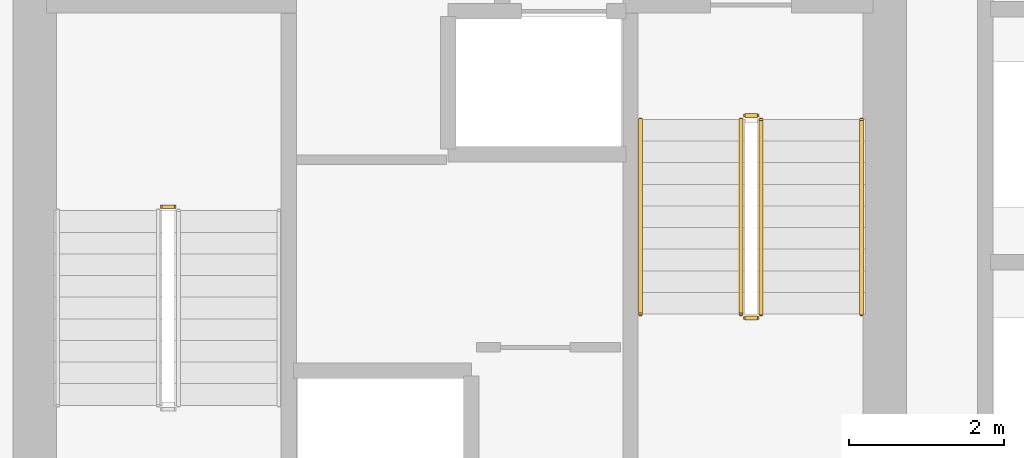
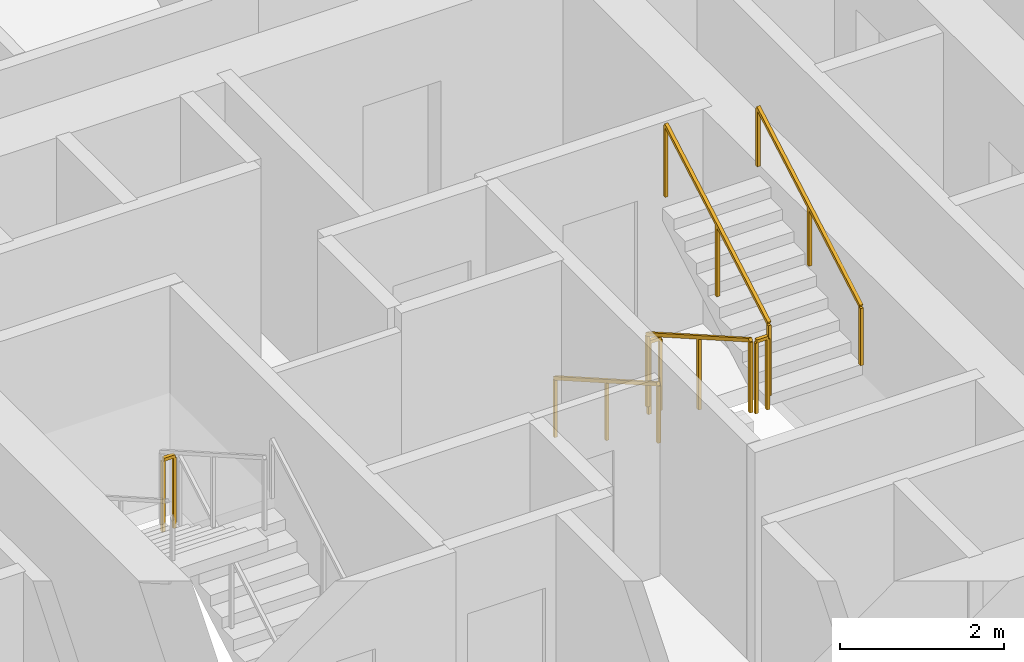
# One storey, part 13 of 14: 7 railings.
"""IFC4 building model written with IfcOpenShell, lengths in metres."""

import ifcopenshell
import ifcopenshell.guid

model = None  # the IFC model being written
_history = None  # IfcOwnerHistory: only IFC2X3 demands one
_inside = {}  # id of a spatial element -> (the spatial element, [elements in it])
_under = {}  # id of a project, library or spatial element -> (it, [spatial elements below it])
_declared = {}  # id of a project -> (the project, [libraries it declares])
_typed = {}  # id of a type object -> (the type object, [elements of that type])
_made_of = {}  # id of a material, layer set ... -> (it, [elements and type objects made of it])


def new_model(schema):
    """Start an empty IFC model of exactly this schema.

    Asked for "IFC4X3", IfcOpenShell would pick the latest addendum, in which some entities
    have other attributes; the version numbers below select the first issue.
    IFC2X3 requires an IfcOwnerHistory on every rooted entity: one is made here for all.
    """
    global model, _history
    if schema == "IFC4X3":
        model = ifcopenshell.file(schema_version=(4, 3, 0, 0))
    else:
        model = ifcopenshell.file(schema=schema)
    _inside.clear()
    _under.clear()
    _declared.clear()
    _typed.clear()
    _made_of.clear()
    _history = None
    if model.schema == "IFC2X3":
        org = make("IfcOrganization", Name="unknown")
        user = make(
            "IfcPersonAndOrganization",
            ThePerson=make("IfcPerson", FamilyName="unknown"),
            TheOrganization=org,
        )
        app = make(
            "IfcApplication",
            ApplicationDeveloper=org,
            Version="unknown",
            ApplicationFullName="unknown",
            ApplicationIdentifier="unknown",
        )
        _history = make(
            "IfcOwnerHistory",
            OwningUser=user,
            OwningApplication=app,
            ChangeAction="ADDED",
            CreationDate=0,
        )
    return model


def make(cls, **values):
    """One entity of the class cls with the attributes given. An attribute that is None is left unset."""
    return model.create_entity(
        cls, **{name: value for name, value in values.items() if value is not None}
    )


def rooted(cls, **values):
    """An entity with a GlobalId (a new one), such as an element, a storey or a relation."""
    return make(cls, GlobalId=ifcopenshell.guid.new(), OwnerHistory=_history, **values)


def si_unit(unit_type, name, prefix=None):
    """IfcSIUnit, for example si_unit("LENGTHUNIT", "METRE", prefix="MILLI")."""
    return make("IfcSIUnit", UnitType=unit_type, Prefix=prefix, Name=name)


def assignment(units):
    """IfcUnitAssignment: the units of a project."""
    return None if units is None else make("IfcUnitAssignment", Units=units)


def point(xyz):
    """IfcCartesianPoint."""
    return None if xyz is None else make("IfcCartesianPoint", Coordinates=xyz)


def direction(xyz):
    """IfcDirection."""
    return None if xyz is None else make("IfcDirection", DirectionRatios=xyz)


def frame(location, z_axis=None, x_axis=None):
    """IfcAxis2Placement3D, a coordinate frame: its origin and axes. An axis left out is left unset."""
    return make(
        "IfcAxis2Placement3D",
        Location=point(location),
        Axis=direction(z_axis),
        RefDirection=direction(x_axis),
    )


def frame_2d(location, x_axis=None):
    """IfcAxis2Placement2D, a coordinate frame in the plane: its origin and x axis."""
    return make(
        "IfcAxis2Placement2D", Location=point(location), RefDirection=direction(x_axis)
    )


def origin():
    """The frame at (0, 0, 0) with its axes left unset."""
    return frame((0.0, 0.0, 0.0))


def origin_2d():
    """The frame at (0, 0) in the plane with its x axis left unset."""
    return frame_2d((0.0, 0.0))


def place(relative_to, where):
    """IfcLocalPlacement: puts the frame where relative to a parent placement (None: the world)."""
    return make(
        "IfcLocalPlacement", PlacementRelTo=relative_to, RelativePlacement=where
    )


def context(
    kind, dimensions, precision=None, world=None, true_north=None, identifier=None
):
    """IfcGeometricRepresentationContext, for example the 3D "Model" context."""
    return make(
        "IfcGeometricRepresentationContext",
        ContextIdentifier=identifier,
        ContextType=kind,
        CoordinateSpaceDimension=dimensions,
        Precision=precision,
        WorldCoordinateSystem=world,
        TrueNorth=true_north,
    )


def subcontext(parent, identifier, kind, view, scale=None):
    """IfcGeometricRepresentationSubContext, for example "Body" below "Model"."""
    return make(
        "IfcGeometricRepresentationSubContext",
        ContextIdentifier=identifier,
        ContextType=kind,
        ParentContext=parent,
        TargetScale=scale,
        TargetView=view,
    )


def project(units=None, contexts=None):
    """IfcProject with its units and contexts."""
    return rooted(
        "IfcProject",
        Name="project",
        RepresentationContexts=contexts,
        UnitsInContext=assignment(units),
    )


def spatial(cls, under=None, at=None, **own):
    """A site, building, storey or space (cls), placed at a placement, below another one or the project."""
    s = rooted(cls, ObjectPlacement=at, **own)
    if under is not None:
        _under.setdefault(under.id(), (under, []))[1].append(s)
    return s


def profile(cls, at=None, kind="AREA", **sizes):
    """A parametric profile (cls). Its sizes go by their IFC names, for example OverallWidth=200.0."""
    return make(cls, ProfileType=kind, Position=at, **sizes)


def rectangle(**sizes):
    """IfcRectangleProfileDef."""
    return profile("IfcRectangleProfileDef", **sizes)


def extrude(swept, where, along, depth):
    """IfcExtrudedAreaSolid: the profile swept, set in the frame where, extruded along a direction by depth."""
    return make(
        "IfcExtrudedAreaSolid",
        SweptArea=swept,
        Position=where,
        ExtrudedDirection=direction(along),
        Depth=depth,
    )


def shape(context_of_items, identifier, shape_type, items):
    """IfcShapeRepresentation: the items that make up one representation, for example the "Body"."""
    return make(
        "IfcShapeRepresentation",
        ContextOfItems=context_of_items,
        RepresentationIdentifier=identifier,
        RepresentationType=shape_type,
        Items=items,
    )


def material(Name=None, Category=None):
    """IfcMaterial."""
    return make("IfcMaterial", Name=Name, Category=Category)


def made_of(thing, what):
    """Note that an element or type object is made of a material, layer set ...; save() writes the relation."""
    if what is not None:
        _made_of.setdefault(what.id(), (what, []))[1].append(thing)
    return thing


def type_object(cls, material=None, **own):
    """A type object (cls), such as IfcWallType, which elements share."""
    return made_of(rooted(cls, **own), material)


def element(
    cls,
    number,
    at=None,
    inside=None,
    cuts=None,
    type_object=None,
    material=None,
    context=None,
    identifier="Body",
    shape_type=None,
    held_by="IfcProductDefinitionShape",
    body=None,
    shapes=None,
    **own,
):
    """One element of the class cls, such as IfcWall. Its Tag is "e" and its number.

    at: its placement. inside: the storey or other place that contains it. cuts: it is an
    opening in that element (IfcRelVoidsElement). A single representation is given by context,
    identifier, shape_type and body (its items); several are given by shapes. held_by: the class
    of the entity that holds the representations. save() writes the other relations.
    """
    e = rooted(cls, Tag="e%d" % number, ObjectPlacement=at, **own)
    if body is not None:
        shapes = [shape(context, identifier, shape_type, body)]
    if shapes is not None:
        e.Representation = make(held_by, Representations=shapes)
    if inside is not None:
        _inside.setdefault(inside.id(), (inside, []))[1].append(e)
    if cuts is not None:
        rooted(
            "IfcRelVoidsElement", RelatingBuildingElement=cuts, RelatedOpeningElement=e
        )
    if type_object is not None:
        _typed.setdefault(type_object.id(), (type_object, []))[1].append(e)
    return made_of(e, material)


def aggregate(whole, parts):
    """IfcRelAggregates: a whole, such as a stair, and the parts it consists of."""
    return rooted("IfcRelAggregates", RelatingObject=whole, RelatedObjects=parts)


def save(model, path):
    """Write the relations noted so far, then the file.

    IfcRelAggregates (storeys below a building ...), IfcRelContainedInSpatialStructure (elements
    in a storey), IfcRelDefinesByType, IfcRelAssociatesMaterial and IfcRelDeclares: one each for
    every whole, place, type object, material and project.
    """
    for whole, parts in _under.values():
        aggregate(whole, parts)
    for where, things in _inside.values():
        rooted(
            "IfcRelContainedInSpatialStructure",
            RelatedElements=things,
            RelatingStructure=where,
        )
    for kind, things in _typed.values():
        rooted("IfcRelDefinesByType", RelatedObjects=things, RelatingType=kind)
    for what, things in _made_of.values():
        rooted("IfcRelAssociatesMaterial", RelatedObjects=things, RelatingMaterial=what)
    for by, libraries in _declared.values():
        rooted("IfcRelDeclares", RelatingContext=by, RelatedDefinitions=libraries)
    model.write(path)


model = new_model("IFC4")

# Units and contexts
model_context = context("Model", 3, precision=1e-05, world=origin(), true_north=direction((0.0, 1.0)))
body_context = subcontext(model_context, "Body", "Model", "MODEL_VIEW")
ifc_project = project(units=[si_unit("LENGTHUNIT", "METRE"), si_unit("AREAUNIT", "SQUARE_METRE"), si_unit("VOLUMEUNIT", "CUBIC_METRE"), si_unit("PLANEANGLEUNIT", "RADIAN"), si_unit("MASSUNIT", "GRAM", prefix="KILO")], contexts=[model_context])

# Site, building, storey
site_placement = place(None, origin())
site = spatial("IfcSite", under=ifc_project, at=site_placement, CompositionType="ELEMENT")
building_placement = place(site_placement, origin())
building = spatial("IfcBuilding", under=site, at=building_placement, Name="Veldorim Arch Residences", CompositionType="ELEMENT")
storey_placement = place(building_placement, frame((0.0, 0.0, 96.47998046875)))
storey = spatial("IfcBuildingStorey", under=building, at=storey_placement, Name="L28", CompositionType="ELEMENT", Elevation=96.47998046875)

# Railings
ifc_material_1 = material(Name="Steel S355", Category="steel")
railing_type_1 = type_object("IfcRailingType", Name="Galvanised Steel Stair Safety Guardrail 1100", PredefinedType="GUARDRAIL", material=ifc_material_1)
railing_1_placement = place(storey_placement, frame((28.31005859375, 24.719970703125, 1.60009765625)))
element("IfcRailing", 1, at=railing_1_placement, inside=storey, type_object=railing_type_1, Name="L28 ST-1 stair guard 2", PredefinedType="GUARDRAIL", context=body_context, shape_type="SweptSolid", body=[
    extrude(rectangle(XDim=0.048095703125, YDim=0.048095703125, at=origin_2d()), frame((0.0, 0.0, 1.076171875), z_axis=(-1.0, 0.0, 0.0), x_axis=(0.0, -1.0, 0.0)), (0.0, 0.0, 1.0), 0.16015625),
    extrude(rectangle(XDim=0.0419921875, YDim=0.0419921875, at=origin_2d()), origin(), (0.0, 0.0, 1.0), 1.052001953125),
    extrude(rectangle(XDim=0.0419921875, YDim=0.0419921875, at=origin_2d()), frame((-0.16015625, 0.0, 0.0)), (0.0, 0.0, 1.0), 1.052001953125),
])
railing_2_placement = place(storey_placement, frame((35.639892578125, 25.85009765625, 0.159912109375)))
element("IfcRailing", 2, at=railing_2_placement, inside=storey, type_object=railing_type_1, Name="L28 ST-2 stair guard 1", PredefinedType="GUARDRAIL", context=body_context, shape_type="SweptSolid", body=[
    extrude(rectangle(XDim=0.048095703125, YDim=0.048095703125, at=origin_2d()), frame((0.0, 0.0, 1.076171875), z_axis=(0.0, -0.868217259934, 0.496184229447), x_axis=(1.0, 0.0, 0.0)), (0.0, 0.0, 1.0), 2.902587890625),
    extrude(rectangle(XDim=0.0419921875, YDim=0.0419921875, at=origin_2d()), origin(), (0.0, 0.0, 1.0), 1.052001953125),
    extrude(rectangle(XDim=0.0419921875, YDim=0.0419921875, at=origin_2d()), frame((0.0, -1.260009765625, 0.72021484375)), (0.0, 0.0, 1.0), 1.052001953125),
    extrude(rectangle(XDim=0.0419921875, YDim=0.0419921875, at=origin_2d()), frame((0.0, -2.52001953125, 1.440185546875)), (0.0, 0.0, 1.0), 1.052001953125),
])
railing_3_placement = place(storey_placement, frame((35.68994140625, 23.280029296875, 1.60009765625)))
element("IfcRailing", 3, at=railing_3_placement, inside=storey, type_object=railing_type_1, Name="L28 ST-2 stair guard 2", PredefinedType="GUARDRAIL", context=body_context, shape_type="SweptSolid", body=[
    extrude(rectangle(XDim=0.048095703125, YDim=0.048095703125, at=origin_2d()), frame((0.0, 0.0, 1.076171875), z_axis=(1.0, 0.0, 0.0), x_axis=(0.0, 1.0, 0.0)), (0.0, 0.0, 1.0), 0.16015625),
    extrude(rectangle(XDim=0.0419921875, YDim=0.0419921875, at=origin_2d()), origin(), (0.0, 0.0, 1.0), 1.052001953125),
    extrude(rectangle(XDim=0.0419921875, YDim=0.0419921875, at=origin_2d()), frame((0.16015625, 0.0, 0.0)), (0.0, 0.0, 1.0), 1.052001953125),
])
railing_4_placement = place(storey_placement, frame((35.89990234375, 23.330078125, 1.760009765625)))
element("IfcRailing", 4, at=railing_4_placement, inside=storey, type_object=railing_type_1, Name="L28 ST-2 stair guard 3", PredefinedType="GUARDRAIL", context=body_context, shape_type="SweptSolid", body=[
    extrude(rectangle(XDim=0.048095703125, YDim=0.048095703125, at=origin_2d()), frame((0.0, 0.0, 1.076171875), z_axis=(0.0, 0.868253494771, 0.496120820787), x_axis=(-1.0, 0.0, 0.0)), (0.0, 0.0, 1.0), 2.90234375),
    extrude(rectangle(XDim=0.0419921875, YDim=0.0419921875, at=origin_2d()), origin(), (0.0, 0.0, 1.0), 1.052001953125),
    extrude(rectangle(XDim=0.0419921875, YDim=0.0419921875, at=origin_2d()), frame((0.0, 1.260009765625, 0.719970703125)), (0.0, 0.0, 1.0), 1.052001953125),
    extrude(rectangle(XDim=0.0419921875, YDim=0.0419921875, at=origin_2d()), frame((0.0, 2.52001953125, 1.43994140625)), (0.0, 0.0, 1.0), 1.052001953125),
])
railing_5_placement = place(storey_placement, frame((35.68994140625, 25.89990234375, 0.0)))
element("IfcRailing", 5, at=railing_5_placement, inside=storey, type_object=railing_type_1, Name="L28 ST-2 stair guard 4", PredefinedType="GUARDRAIL", context=body_context, shape_type="SweptSolid", body=[
    extrude(rectangle(XDim=0.048095703125, YDim=0.048095703125, at=origin_2d()), frame((0.0, 0.0, 1.076171875), z_axis=(1.0, 0.0, 0.0), x_axis=(0.0, 1.0, 0.0)), (0.0, 0.0, 1.0), 0.16015625),
    extrude(rectangle(XDim=0.0419921875, YDim=0.0419921875, at=origin_2d()), origin(), (0.0, 0.0, 1.0), 1.052001953125),
    extrude(rectangle(XDim=0.0419921875, YDim=0.0419921875, at=origin_2d()), frame((0.16015625, 0.0, 0.0)), (0.0, 0.0, 1.0), 1.052001953125),
])
ifc_material_2 = material(Name="Stainless Steel", Category="steel")
railing_type_2 = type_object("IfcRailingType", Name="Tubular Steel Continuous Wall Handrail 900", PredefinedType="HANDRAIL", material=ifc_material_2)
railing_6_placement = place(storey_placement, frame((34.340087890625, 25.85009765625, 0.159912109375)))
element("IfcRailing", 6, at=railing_6_placement, inside=storey, type_object=railing_type_2, Name="L28 ST-2 stair handrail 1", PredefinedType="HANDRAIL", context=body_context, shape_type="SweptSolid", body=[
    extrude(rectangle(XDim=0.048095703125, YDim=0.048095703125, at=origin_2d()), frame((0.0, 0.0, 0.8759765625), z_axis=(0.0, -0.868217259934, 0.496184229447), x_axis=(1.0, 0.0, 0.0)), (0.0, 0.0, 1.0), 2.902587890625),
    extrude(rectangle(XDim=0.0419921875, YDim=0.0419921875, at=origin_2d()), origin(), (0.0, 0.0, 1.0), 0.851806640625),
    extrude(rectangle(XDim=0.0419921875, YDim=0.0419921875, at=origin_2d()), frame((0.0, -1.260009765625, 0.72021484375)), (0.0, 0.0, 1.0), 0.851806640625),
    extrude(rectangle(XDim=0.0419921875, YDim=0.0419921875, at=origin_2d()), frame((0.0, -2.52001953125, 1.440185546875)), (0.0, 0.0, 1.0), 0.851806640625),
])
railing_7_placement = place(storey_placement, frame((37.199951171875, 23.330078125, 1.760009765625)))
element("IfcRailing", 7, at=railing_7_placement, inside=storey, type_object=railing_type_2, Name="L28 ST-2 stair handrail 2", PredefinedType="HANDRAIL", context=body_context, shape_type="SweptSolid", body=[
    extrude(rectangle(XDim=0.048095703125, YDim=0.048095703125, at=origin_2d()), frame((0.0, 0.0, 0.8759765625), z_axis=(0.0, 0.868253494771, 0.496120820787), x_axis=(-1.0, 0.0, 0.0)), (0.0, 0.0, 1.0), 2.90234375),
    extrude(rectangle(XDim=0.0419921875, YDim=0.0419921875, at=origin_2d()), origin(), (0.0, 0.0, 1.0), 0.851806640625),
    extrude(rectangle(XDim=0.0419921875, YDim=0.0419921875, at=origin_2d()), frame((0.0, 1.260009765625, 0.719970703125)), (0.0, 0.0, 1.0), 0.851806640625),
    extrude(rectangle(XDim=0.0419921875, YDim=0.0419921875, at=origin_2d()), frame((0.0, 2.52001953125, 1.43994140625)), (0.0, 0.0, 1.0), 0.851806640625),
])

save(model, "model.ifc")
